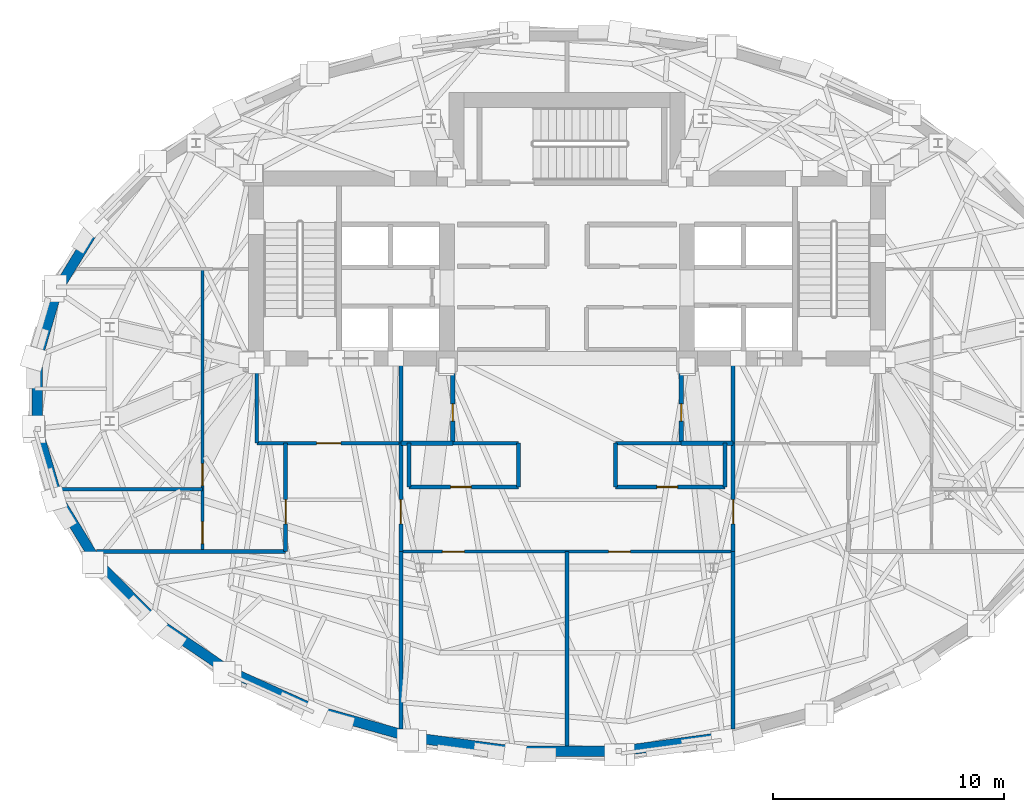
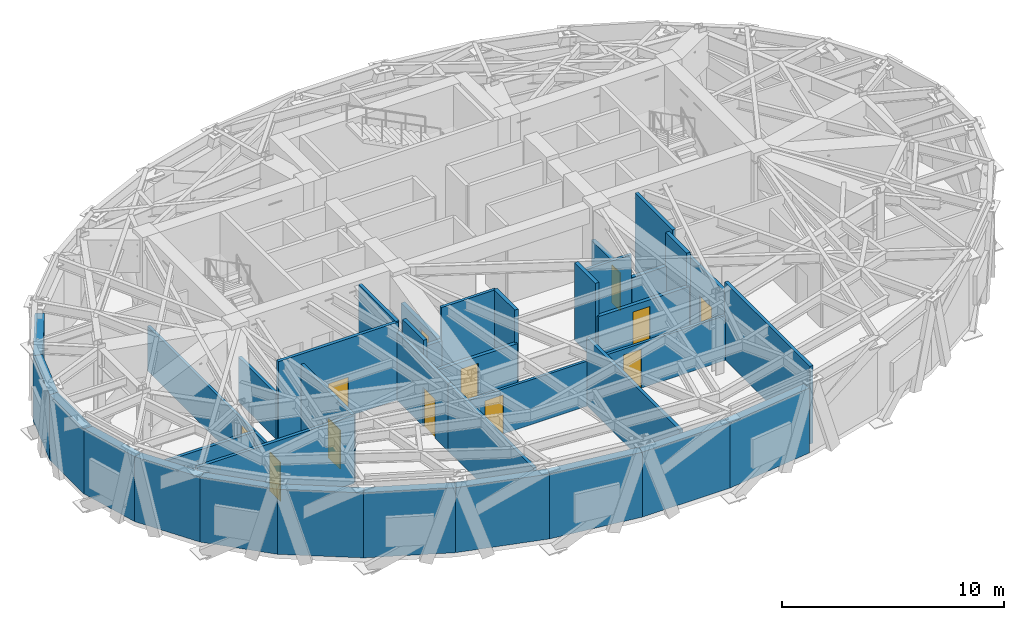
# One storey, part 6 of 12: 38 walls, 12 doors, 12 openings.
"""IFC4 building model written with IfcOpenShell, lengths in metres."""

from ifc_helpers import new_model, si_unit, direction, frame, frame_2d, origin, place, context, subcontext, project, spatial, rectangle, extrude, material, layer, layer_set, type_object, element, fill, save


model = new_model("IFC4")

# Units and contexts
model_context = context("Model", 3, precision=1e-05, world=origin(), true_north=direction((0.0, 1.0)))
body_context = subcontext(model_context, "Body", "Model", "MODEL_VIEW")
ifc_project = project(units=[si_unit("LENGTHUNIT", "METRE"), si_unit("AREAUNIT", "SQUARE_METRE"), si_unit("VOLUMEUNIT", "CUBIC_METRE"), si_unit("PLANEANGLEUNIT", "RADIAN"), si_unit("MASSUNIT", "GRAM", prefix="KILO")], contexts=[model_context])

# Site, building, storey
site_placement = place(None, origin())
site = spatial("IfcSite", under=ifc_project, at=site_placement, CompositionType="ELEMENT")
building_placement = place(site_placement, origin())
building = spatial("IfcBuilding", under=site, at=building_placement, Name="Keldmark Tower", CompositionType="ELEMENT")
storey_placement = place(building_placement, frame((0.0, 0.0, 201.39990234375)))
storey = spatial("IfcBuildingStorey", under=building, at=storey_placement, Name="L56", CompositionType="ELEMENT", Elevation=201.39990234375)

# Wall, openings, doors
ifc_material_1 = material(Name="Acoustic Double-Layer Gypsum Corridor Partition", Category="gypsum")
ifc_layer_1 = layer(ifc_material_1, 0.139892578125)
ifc_layer_set_1 = layer_set([ifc_layer_1], Name="Acoustic Double-Layer Gypsum Corridor Partition")
wall_type_1 = type_object("IfcWallType", Name="Acoustic Corridor Partition 140 mm", PredefinedType="PARTITIONING", material=ifc_layer_set_1)
wall_1_placement = place(storey_placement, frame((-7.199951171875, -6.85009765625, 0.0), z_axis=(0.0, 0.0, 1.0), x_axis=(1.0, 0.0, 0.0)))
wall_1 = element("IfcWall", 1, at=wall_1_placement, inside=storey, type_object=wall_type_1, Name="L56 Acoustic Corridor Partition 140 mm PCOR-CS", PredefinedType="PARTITIONING", context=body_context, shape_type="SweptSolid", body=[
    extrude(rectangle(XDim=14.39990234375, YDim=0.139892578125, at=frame_2d((7.199951171875, 0.0))), origin(), (0.0, 0.0, 1.0), 2.47021484375),
])
opening_1_placement = place(wall_1_placement, frame((1.800048828125, 0.0, 0.0)))
opening_1 = element("IfcOpeningElement", 2, at=opening_1_placement, cuts=wall_1, Name="Opening D-AWC95", PredefinedType="OPENING", context=body_context, shape_type="SweptSolid", body=[
    extrude(rectangle(XDim=0.949951171875, YDim=2.14990234375, at=frame_2d((0.47509765625, 1.074951171875))), frame((0.0, 0.079833984375, 0.0), z_axis=(0.0, -1.0, 0.0), x_axis=(1.0, 0.0, 0.0)), (0.0, 0.0, 1.0), 0.159912109375),
])
opening_2_placement = place(wall_1_placement, frame((9.0, 0.0, 0.0)))
opening_2 = element("IfcOpeningElement", 3, at=opening_2_placement, cuts=wall_1, Name="Opening D-AWC95", PredefinedType="OPENING", context=body_context, shape_type="SweptSolid", body=[
    extrude(rectangle(XDim=0.949951171875, YDim=2.14990234375, at=frame_2d((0.47509765625, 1.074951171875))), frame((0.0, 0.079833984375, 0.0), z_axis=(0.0, -1.0, 0.0), x_axis=(1.0, 0.0, 0.0)), (0.0, 0.0, 1.0), 0.159912109375),
])
ifc_material_2 = material(Name="Painted Solid-Core Architectural Wood", Category="wood")
door_type_1 = type_object("IfcDoorType", Name="Accessible WC Door 950x2150", OperationType="NOTDEFINED", PredefinedType="DOOR", material=ifc_material_2)
door_1_placement = place(opening_1_placement, origin())
door_1 = element("IfcDoor", 4, at=door_1_placement, inside=storey, type_object=door_type_1, Name="L56 Accessible WC Door 950x2150 D-PLSC1-L56", OperationType="SINGLE_SWING_RIGHT", OverallHeight=2.14990234375, OverallWidth=0.949951171875, PredefinedType="DOOR", context=body_context, shape_type="SweptSolid", body=[
    extrude(rectangle(XDim=0.949951171875, YDim=2.14990234375, at=frame_2d((0.47509765625, 1.074951171875))), frame((0.0, 0.02490234375, 0.0), z_axis=(0.0, -1.0, 0.0), x_axis=(1.0, 0.0, 0.0)), (0.0, 0.0, 1.0), 0.050048828125),
])
fill(opening_1, door_1)
door_2_placement = place(opening_2_placement, origin())
door_2 = element("IfcDoor", 5, at=door_2_placement, inside=storey, type_object=door_type_1, Name="L56 Accessible WC Door 950x2150 D-PLSC2-L56", OperationType="SINGLE_SWING_RIGHT", OverallHeight=2.14990234375, OverallWidth=0.949951171875, PredefinedType="DOOR", context=body_context, shape_type="SweptSolid", body=[
    extrude(rectangle(XDim=0.949951171875, YDim=2.14990234375, at=frame_2d((0.47509765625, 1.074951171875))), frame((0.0, 0.02490234375, 0.0), z_axis=(0.0, -1.0, 0.0), x_axis=(1.0, 0.0, 0.0)), (0.0, 0.0, 1.0), 0.050048828125),
])
fill(opening_2, door_2)

wall_2_placement = place(storey_placement, frame((-15.800048828125, -6.85009765625, 0.0), z_axis=(0.0, 0.0, 1.0), x_axis=(0.0, 1.0, 0.0)))
wall_2 = element("IfcWall", 6, at=wall_2_placement, inside=storey, type_object=wall_type_1, Name="L56 Acoustic Corridor Partition 140 mm PCOR-W", PredefinedType="PARTITIONING", context=body_context, shape_type="SweptSolid", body=[
    extrude(rectangle(XDim=12.25, YDim=0.139892578125, at=frame_2d((6.125, 0.0))), origin(), (0.0, 0.0, 1.0), 2.47021484375),
])
opening_3_placement = place(wall_2_placement, frame((0.35009765625, 0.0, 0.0)))
opening_3 = element("IfcOpeningElement", 7, at=opening_3_placement, cuts=wall_2, Name="Opening D-AWC95", PredefinedType="OPENING", context=body_context, shape_type="SweptSolid", body=[
    extrude(rectangle(XDim=0.949951171875, YDim=2.14990234375, at=frame_2d((0.47509765625, 1.074951171875))), frame((0.0, 0.079833984375, 0.0), z_axis=(0.0, -1.0, 0.0), x_axis=(1.0, 0.0, 0.0)), (0.0, 0.0, 1.0), 0.159912109375),
])
opening_4_placement = place(wall_2_placement, frame((2.860107421875, 0.0, 0.0)))
opening_4 = element("IfcOpeningElement", 8, at=opening_4_placement, cuts=wall_2, Name="Opening D-AWC95", PredefinedType="OPENING", context=body_context, shape_type="SweptSolid", body=[
    extrude(rectangle(XDim=0.949951171875, YDim=2.14990234375, at=frame_2d((0.47509765625, 1.074951171875))), frame((0.0, 0.079833984375, 0.0), z_axis=(0.0, -1.0, 0.0), x_axis=(1.0, 0.0, 0.0)), (0.0, 0.0, 1.0), 0.159912109375),
])
door_3_placement = place(opening_3_placement, origin())
door_3 = element("IfcDoor", 9, at=door_3_placement, inside=storey, type_object=door_type_1, Name="L56 Accessible WC Door 950x2150 D-PLW1-L56", OperationType="SINGLE_SWING_LEFT", OverallHeight=2.14990234375, OverallWidth=0.949951171875, PredefinedType="DOOR", context=body_context, shape_type="SweptSolid", body=[
    extrude(rectangle(XDim=0.949951171875, YDim=2.14990234375, at=frame_2d((0.47509765625, 1.074951171875))), frame((0.0, 0.02490234375, 0.0), z_axis=(0.0, -1.0, 0.0), x_axis=(1.0, 0.0, 0.0)), (0.0, 0.0, 1.0), 0.050048828125),
])
fill(opening_3, door_3)
door_4_placement = place(opening_4_placement, origin())
door_4 = element("IfcDoor", 10, at=door_4_placement, inside=storey, type_object=door_type_1, Name="L56 Accessible WC Door 950x2150 D-PLW2-L56", OperationType="SINGLE_SWING_RIGHT", OverallHeight=2.14990234375, OverallWidth=0.949951171875, PredefinedType="DOOR", context=body_context, shape_type="SweptSolid", body=[
    extrude(rectangle(XDim=0.949951171875, YDim=2.14990234375, at=frame_2d((0.47509765625, 1.074951171875))), frame((0.0, 0.02490234375, 0.0), z_axis=(0.0, -1.0, 0.0), x_axis=(1.0, 0.0, 0.0)), (0.0, 0.0, 1.0), 0.050048828125),
])
fill(opening_4, door_4)

# Wall, opening, door
ifc_material_3 = material(Name="Heavy Acoustic Plumbing Chase Gypsum Assembly", Category="gypsum")
ifc_layer_2 = layer(ifc_material_3, 0.18994140625)
ifc_layer_set_2 = layer_set([ifc_layer_2], Name="Heavy Acoustic Plumbing Chase Gypsum Assembly")
wall_type_2 = type_object("IfcWallType", Name="Heavy Wet Wall 190 mm", PredefinedType="PLUMBINGWALL", material=ifc_layer_set_2)
wall_3_placement = place(storey_placement, frame((-6.85009765625, -4.050048828125, 0.0), z_axis=(0.0, 0.0, 1.0), x_axis=(1.0, 0.0, 0.0)))
wall_3 = element("IfcWall", 11, at=wall_3_placement, inside=storey, type_object=wall_type_2, Name="L56 Heavy Wet Wall 190 mm SPK-W-S", PredefinedType="PLUMBINGWALL", context=body_context, shape_type="SweptSolid", body=[
    extrude(rectangle(XDim=4.75, YDim=0.18994140625, at=frame_2d((2.375, 0.0))), origin(), (0.0, 0.0, 1.0), 2.47021484375),
])
opening_5_placement = place(wall_3_placement, frame((1.800048828125, 0.0, 0.0)))
opening_5 = element("IfcOpeningElement", 12, at=opening_5_placement, cuts=wall_3, Name="Opening D-IN090", PredefinedType="OPENING", context=body_context, shape_type="SweptSolid", body=[
    extrude(rectangle(XDim=0.89990234375, YDim=2.10009765625, at=frame_2d((0.449951171875, 1.050048828125))), frame((0.0, 0.10498046875, 0.0), z_axis=(0.0, -1.0, 0.0), x_axis=(1.0, 0.0, 0.0)), (0.0, 0.0, 1.0), 0.2099609375),
])
ifc_material_4 = material(Name="Stained American White Oak Veneer", Category="wood")
door_type_2 = type_object("IfcDoorType", Name="Interior Door 900x2100", OperationType="NOTDEFINED", PredefinedType="DOOR", material=ifc_material_4)
door_5_placement = place(opening_5_placement, origin())
door_5 = element("IfcDoor", 13, at=door_5_placement, inside=storey, type_object=door_type_2, Name="L56 Interior Door 900x2100 D-SPKW1-L56", OperationType="SINGLE_SWING_LEFT", OverallHeight=2.10009765625, OverallWidth=0.89990234375, PredefinedType="DOOR", context=body_context, shape_type="SweptSolid", body=[
    extrude(rectangle(XDim=0.89990234375, YDim=2.10009765625, at=frame_2d((0.449951171875, 1.050048828125))), frame((0.0, 0.02490234375, 0.0), z_axis=(0.0, -1.0, 0.0), x_axis=(1.0, 0.0, 0.0)), (0.0, 0.0, 1.0), 0.050048828125),
])
fill(opening_5, door_5)

# Walls
for number, where, z_axis, x_axis, name in (
    (14, (-6.85009765625, -4.050048828125, 0.0), (0.0, 0.0, 1.0), (0.0, 1.0, 0.0), "L56 Heavy Wet Wall 190 mm SPK-W-W"),
    (15, (-2.10009765625, -4.050048828125, 0.0), (0.0, 0.0, 1.0), (0.0, 1.0, 0.0), "L56 Heavy Wet Wall 190 mm SPK-W-E"),
):
    element("IfcWall", number, at=place(storey_placement, frame(where, z_axis=z_axis, x_axis=x_axis)), inside=storey, type_object=wall_type_2, Name=name, PredefinedType="PLUMBINGWALL", context=body_context, shape_type="SweptSolid", body=[
        extrude(rectangle(XDim=1.900146484375, YDim=0.18994140625, at=frame_2d((0.9501953125, 0.0))), origin(), (0.0, 0.0, 1.0), 4.280029296875),
    ])

# Wall, opening, door
wall_4_placement = place(storey_placement, frame((2.10009765625, -4.050048828125, 0.0), z_axis=(0.0, 0.0, 1.0), x_axis=(1.0, 0.0, 0.0)))
wall_4 = element("IfcWall", 16, at=wall_4_placement, inside=storey, type_object=wall_type_2, Name="L56 Heavy Wet Wall 190 mm SPK-E-S", PredefinedType="PLUMBINGWALL", context=body_context, shape_type="SweptSolid", body=[
    extrude(rectangle(XDim=4.75, YDim=0.18994140625, at=frame_2d((2.375, 0.0))), origin(), (0.0, 0.0, 1.0), 2.47021484375),
])
opening_6_placement = place(wall_4_placement, frame((1.800048828125, 0.0, 0.0)))
opening_6 = element("IfcOpeningElement", 17, at=opening_6_placement, cuts=wall_4, Name="Opening D-IN090", PredefinedType="OPENING", context=body_context, shape_type="SweptSolid", body=[
    extrude(rectangle(XDim=0.89990234375, YDim=2.10009765625, at=frame_2d((0.449951171875, 1.050048828125))), frame((0.0, 0.10498046875, 0.0), z_axis=(0.0, -1.0, 0.0), x_axis=(1.0, 0.0, 0.0)), (0.0, 0.0, 1.0), 0.2099609375),
])
door_6_placement = place(opening_6_placement, origin())
door_6 = element("IfcDoor", 18, at=door_6_placement, inside=storey, type_object=door_type_2, Name="L56 Interior Door 900x2100 D-SPKE1-L56", OperationType="SINGLE_SWING_RIGHT", OverallHeight=2.10009765625, OverallWidth=0.89990234375, PredefinedType="DOOR", context=body_context, shape_type="SweptSolid", body=[
    extrude(rectangle(XDim=0.89990234375, YDim=2.10009765625, at=frame_2d((0.449951171875, 1.050048828125))), frame((0.0, 0.02490234375, 0.0), z_axis=(0.0, -1.0, 0.0), x_axis=(1.0, 0.0, 0.0)), (0.0, 0.0, 1.0), 0.050048828125),
])
fill(opening_6, door_6)

# Walls
for number, where, z_axis, x_axis, name in (
    (19, (2.10009765625, -4.050048828125, 0.0), (0.0, 0.0, 1.0), (0.0, 1.0, 0.0), "L56 Heavy Wet Wall 190 mm SPK-E-W"),
    (20, (6.85009765625, -4.050048828125, 0.0), (0.0, 0.0, 1.0), (0.0, 1.0, 0.0), "L56 Heavy Wet Wall 190 mm SPK-E-E"),
):
    element("IfcWall", number, at=place(storey_placement, frame(where, z_axis=z_axis, x_axis=x_axis)), inside=storey, type_object=wall_type_2, Name=name, PredefinedType="PLUMBINGWALL", context=body_context, shape_type="SweptSolid", body=[
        extrude(rectangle(XDim=1.900146484375, YDim=0.18994140625, at=frame_2d((0.9501953125, 0.0))), origin(), (0.0, 0.0, 1.0), 4.280029296875),
    ])

# Wall, opening, door
ifc_material_5 = material(Name="Type X Fire-Rated Gypsum Partition Assembly", Category="gypsum")
ifc_layer_3 = layer(ifc_material_5, 0.1650390625)
ifc_layer_set_3 = layer_set([ifc_layer_3], Name="Type X Fire-Rated Gypsum Partition Assembly")
wall_type_3 = type_object("IfcWallType", Name="Rated Partition 165 mm", PredefinedType="PARTITIONING", material=ifc_layer_set_3)
wall_5_placement = place(storey_placement, frame((-13.449951171875, -2.14990234375, 0.0), z_axis=(0.0, 0.0, 1.0), x_axis=(1.0, 0.0, 0.0)))
wall_5 = element("IfcWall", 21, at=wall_5_placement, inside=storey, type_object=wall_type_3, Name="L56 Rated Partition 165 mm FSAE-W-S", PredefinedType="PARTITIONING", context=body_context, shape_type="SweptSolid", body=[
    extrude(rectangle(XDim=6.25, YDim=0.1650390625, at=frame_2d((3.125, 0.0))), origin(), (0.0, 0.0, 1.0), 4.280029296875),
])
opening_7_placement = place(wall_5_placement, frame((2.60009765625, 0.0, 0.0)))
opening_7 = element("IfcOpeningElement", 22, at=opening_7_placement, cuts=wall_5, Name="Opening D-FL105", PredefinedType="OPENING", context=body_context, shape_type="SweptSolid", body=[
    extrude(rectangle(XDim=1.050048828125, YDim=2.14990234375, at=frame_2d((0.52490234375, 1.074951171875))), frame((0.0, 0.092529296875, 0.0), z_axis=(0.0, -1.0, 0.0), x_axis=(1.0, 0.0, 0.0)), (0.0, 0.0, 1.0), 0.18505859375),
])
ifc_material_6 = material(Name="Fire-Rated Mineral-Core Door and Vision Lite", Category="metal")
door_type_3 = type_object("IfcDoorType", Name="Fire Lobby Door 1050x2150", OperationType="NOTDEFINED", PredefinedType="DOOR", material=ifc_material_6)
door_7_placement = place(opening_7_placement, origin())
door_7 = element("IfcDoor", 23, at=door_7_placement, inside=storey, type_object=door_type_3, Name="L56 Fire Lobby Door 1050x2150 D-REFW-FSAE-L56", OperationType="SINGLE_SWING_LEFT", OverallHeight=2.14990234375, OverallWidth=1.050048828125, PredefinedType="DOOR", context=body_context, shape_type="SweptSolid", body=[
    extrude(rectangle(XDim=1.050048828125, YDim=2.14990234375, at=frame_2d((0.52490234375, 1.074951171875))), frame((0.0, 0.02490234375, 0.0), z_axis=(0.0, -1.0, 0.0), x_axis=(1.0, 0.0, 0.0)), (0.0, 0.0, 1.0), 0.050048828125),
])
fill(opening_7, door_7)

# Walls
wall_6_placement = place(storey_placement, frame((-13.449951171875, -2.14990234375, 0.0), z_axis=(0.0, 0.0, 1.0), x_axis=(0.0, 1.0, 0.0)))
element("IfcWall", 24, at=wall_6_placement, inside=storey, type_object=wall_type_3, Name="L56 Rated Partition 165 mm FSAE-W-W", PredefinedType="PARTITIONING", context=body_context, shape_type="SweptSolid", body=[
    extrude(rectangle(XDim=3.39990234375, YDim=0.1650390625, at=frame_2d((1.699951171875, 0.0))), origin(), (0.0, 0.0, 1.0), 2.47021484375),
])
for number, where, z_axis, x_axis, name in (
    (25, (-7.199951171875, -2.14990234375, 0.0), (0.0, 0.0, 1.0), (0.0, 1.0, 0.0), "L56 Rated Partition 165 mm FSAE-W-E"),
    (26, (7.199951171875, -2.14990234375, 0.0), (0.0, 0.0, 1.0), (0.0, 1.0, 0.0), "L56 Rated Partition 165 mm FSAE-E-W"),
):
    element("IfcWall", number, at=place(storey_placement, frame(where, z_axis=z_axis, x_axis=x_axis)), inside=storey, type_object=wall_type_3, Name=name, PredefinedType="PARTITIONING", context=body_context, shape_type="SweptSolid", body=[
        extrude(rectangle(XDim=3.39990234375, YDim=0.1650390625, at=frame_2d((1.699951171875, 0.0))), origin(), (0.0, 0.0, 1.0), 4.280029296875),
    ])

# Wall, opening, door
wall_7_placement = place(storey_placement, frame((-12.199951171875, -6.85009765625, 0.0), z_axis=(0.0, 0.0, 1.0), x_axis=(0.0, 1.0, 0.0)))
wall_7 = element("IfcWall", 27, at=wall_7_placement, inside=storey, type_object=wall_type_3, Name="L56 Rated Partition 165 mm REF-WT-W", PredefinedType="PARTITIONING", context=body_context, shape_type="SweptSolid", body=[
    extrude(rectangle(XDim=4.7001953125, YDim=0.1650390625, at=frame_2d((2.35009765625, 0.0))), origin(), (0.0, 0.0, 1.0), 3.733154296875),
])
opening_8_placement = place(wall_7_placement, frame((1.199951171875, 0.0, 0.0)))
opening_8 = element("IfcOpeningElement", 28, at=opening_8_placement, cuts=wall_7, Name="Opening D-FL105", PredefinedType="OPENING", context=body_context, shape_type="SweptSolid", body=[
    extrude(rectangle(XDim=1.050048828125, YDim=2.14990234375, at=frame_2d((0.52490234375, 1.074951171875))), frame((0.0, 0.092529296875, 0.0), z_axis=(0.0, -1.0, 0.0), x_axis=(1.0, 0.0, 0.0)), (0.0, 0.0, 1.0), 0.18505859375),
])
door_8_placement = place(opening_8_placement, origin())
door_8 = element("IfcDoor", 29, at=door_8_placement, inside=storey, type_object=door_type_3, Name="L56 Fire Lobby Door 1050x2150 D-REFW-CORW-L56", OperationType="SINGLE_SWING_LEFT", OverallHeight=2.14990234375, OverallWidth=1.050048828125, PredefinedType="DOOR", context=body_context, shape_type="SweptSolid", body=[
    extrude(rectangle(XDim=1.050048828125, YDim=2.14990234375, at=frame_2d((0.52490234375, 1.074951171875))), frame((0.0, 0.02490234375, 0.0), z_axis=(0.0, -1.0, 0.0), x_axis=(1.0, 0.0, 0.0)), (0.0, 0.0, 1.0), 0.050048828125),
])
fill(opening_8, door_8)

wall_8_placement = place(storey_placement, frame((-7.199951171875, -6.85009765625, 0.0), z_axis=(0.0, 0.0, 1.0), x_axis=(0.0, 1.0, 0.0)))
wall_8 = element("IfcWall", 30, at=wall_8_placement, inside=storey, type_object=wall_type_3, Name="L56 Rated Partition 165 mm REF-WT-E", PredefinedType="PARTITIONING", context=body_context, shape_type="SweptSolid", body=[
    extrude(rectangle(XDim=4.7001953125, YDim=0.1650390625, at=frame_2d((2.35009765625, 0.0))), origin(), (0.0, 0.0, 1.0), 3.733154296875),
])
opening_9_placement = place(wall_8_placement, frame((1.199951171875, 0.0, 0.0)))
opening_9 = element("IfcOpeningElement", 31, at=opening_9_placement, cuts=wall_8, Name="Opening D-FL105", PredefinedType="OPENING", context=body_context, shape_type="SweptSolid", body=[
    extrude(rectangle(XDim=1.050048828125, YDim=2.14990234375, at=frame_2d((0.52490234375, 1.074951171875))), frame((0.0, 0.092529296875, 0.0), z_axis=(0.0, -1.0, 0.0), x_axis=(1.0, 0.0, 0.0)), (0.0, 0.0, 1.0), 0.18505859375),
])
door_9_placement = place(opening_9_placement, origin())
door_9 = element("IfcDoor", 32, at=door_9_placement, inside=storey, type_object=door_type_3, Name="L56 Fire Lobby Door 1050x2150 D-REFW-CORE-L56", OperationType="SINGLE_SWING_RIGHT", OverallHeight=2.14990234375, OverallWidth=1.050048828125, PredefinedType="DOOR", context=body_context, shape_type="SweptSolid", body=[
    extrude(rectangle(XDim=1.050048828125, YDim=2.14990234375, at=frame_2d((0.52490234375, 1.074951171875))), frame((0.0, 0.02490234375, 0.0), z_axis=(0.0, -1.0, 0.0), x_axis=(1.0, 0.0, 0.0)), (0.0, 0.0, 1.0), 0.050048828125),
])
fill(opening_9, door_9)

wall_9_placement = place(storey_placement, frame((7.199951171875, -6.85009765625, 0.0), z_axis=(0.0, 0.0, 1.0), x_axis=(0.0, 1.0, 0.0)))
wall_9 = element("IfcWall", 33, at=wall_9_placement, inside=storey, type_object=wall_type_3, Name="L56 Rated Partition 165 mm REF-ET-W", PredefinedType="PARTITIONING", context=body_context, shape_type="SweptSolid", body=[
    extrude(rectangle(XDim=4.7001953125, YDim=0.1650390625, at=frame_2d((2.35009765625, 0.0))), origin(), (0.0, 0.0, 1.0), 3.733154296875),
])
opening_10_placement = place(wall_9_placement, frame((1.199951171875, 0.0, 0.0)))
opening_10 = element("IfcOpeningElement", 34, at=opening_10_placement, cuts=wall_9, Name="Opening D-FL105", PredefinedType="OPENING", context=body_context, shape_type="SweptSolid", body=[
    extrude(rectangle(XDim=1.050048828125, YDim=2.14990234375, at=frame_2d((0.52490234375, 1.074951171875))), frame((0.0, 0.092529296875, 0.0), z_axis=(0.0, -1.0, 0.0), x_axis=(1.0, 0.0, 0.0)), (0.0, 0.0, 1.0), 0.18505859375),
])
door_10_placement = place(opening_10_placement, origin())
door_10 = element("IfcDoor", 35, at=door_10_placement, inside=storey, type_object=door_type_3, Name="L56 Fire Lobby Door 1050x2150 D-REFE-CORW-L56", OperationType="SINGLE_SWING_LEFT", OverallHeight=2.14990234375, OverallWidth=1.050048828125, PredefinedType="DOOR", context=body_context, shape_type="SweptSolid", body=[
    extrude(rectangle(XDim=1.050048828125, YDim=2.14990234375, at=frame_2d((0.52490234375, 1.074951171875))), frame((0.0, 0.02490234375, 0.0), z_axis=(0.0, -1.0, 0.0), x_axis=(1.0, 0.0, 0.0)), (0.0, 0.0, 1.0), 0.050048828125),
])
fill(opening_10, door_10)

# Walls
wall_10_placement = place(storey_placement, frame((-7.199951171875, -14.53173828125, 0.0), z_axis=(0.0, 0.0, 1.0), x_axis=(0.0, 1.0, 0.0)))
element("IfcWall", 36, at=wall_10_placement, inside=storey, type_object=wall_type_3, Name="L56 Rated Partition 165 mm REF-S-W", PredefinedType="PARTITIONING", context=body_context, shape_type="SweptSolid", body=[
    extrude(rectangle(XDim=7.681640625, YDim=0.1650390625, at=frame_2d((3.8408203125, 0.0))), origin(), (0.0, 0.0, 1.0), 3.733154296875),
])
wall_11_placement = place(storey_placement, frame((7.199951171875, -14.53173828125, 0.0), z_axis=(0.0, 0.0, 1.0), x_axis=(0.0, 1.0, 0.0)))
element("IfcWall", 37, at=wall_11_placement, inside=storey, type_object=wall_type_3, Name="L56 Rated Partition 165 mm REF-S-E", PredefinedType="PARTITIONING", context=body_context, shape_type="SweptSolid", body=[
    extrude(rectangle(XDim=7.681640625, YDim=0.1650390625, at=frame_2d((3.8408203125, 0.0))), origin(), (0.0, 0.0, 1.0), 4.280029296875),
])
wall_12_placement = place(storey_placement, frame((-20.38916015625, -6.85009765625, 0.0), z_axis=(0.0, 0.0, 1.0), x_axis=(1.0, 0.0, 0.0)))
element("IfcWall", 38, at=wall_12_placement, inside=storey, type_object=wall_type_3, Name="L56 Rated Partition 165 mm REF-CAP-W", PredefinedType="PARTITIONING", context=body_context, shape_type="SweptSolid", body=[
    extrude(rectangle(XDim=8.189208984375, YDim=0.1650390625, at=frame_2d((4.0947265625, 0.0))), origin(), (0.0, 0.0, 1.0), 3.733154296875),
])
wall_13_placement = place(storey_placement, frame((0.0, -15.27587890625, 0.0), z_axis=(0.0, 0.0, 1.0), x_axis=(0.0, 1.0, 0.0)))
element("IfcWall", 39, at=wall_13_placement, inside=storey, type_object=wall_type_3, Name="L56 Rated Partition 165 mm SPL-DIV", PredefinedType="PARTITIONING", context=body_context, shape_type="SweptSolid", body=[
    extrude(rectangle(XDim=8.42578125, YDim=0.1650390625, at=frame_2d((4.212890625, 0.0))), origin(), (0.0, 0.0, 1.0), 3.733154296875),
])
wall_14_placement = place(storey_placement, frame((-21.9580078125, -4.14990234375, 0.0), z_axis=(0.0, 0.0, 1.0), x_axis=(1.0, 0.0, 0.0)))
element("IfcWall", 40, at=wall_14_placement, inside=storey, type_object=wall_type_3, Name="L56 Rated Partition 165 mm WPL-DIV", PredefinedType="PARTITIONING", context=body_context, shape_type="SweptSolid", body=[
    extrude(rectangle(XDim=6.157958984375, YDim=0.1650390625, at=frame_2d((3.0791015625, 0.0))), origin(), (0.0, 0.0, 1.0), 2.47021484375),
])
ifc_material_7 = material(Name="Fire-Resistant Type X Gypsum Shaftliner Coreboard", Category="gypsum")
ifc_layer_4 = layer(ifc_material_7, 0.199951171875)
ifc_layer_set_4 = layer_set([ifc_layer_4], Name="Fire-Resistant Type X Gypsum Shaftliner Coreboard")
wall_type_4 = type_object("IfcWallType", Name="Shaft Wall 200 mm", PredefinedType="SOLIDWALL", material=ifc_layer_set_4)
wall_15_placement = place(storey_placement, frame((-7.199951171875, -2.14990234375, 0.0), z_axis=(0.0, 0.0, 1.0), x_axis=(1.0, 0.0, 0.0)))
element("IfcWall", 41, at=wall_15_placement, inside=storey, type_object=wall_type_4, Name="L56 Shaft Wall 200 mm RIS-SW-S", PredefinedType="SOLIDWALL", context=body_context, shape_type="SweptSolid", body=[
    extrude(rectangle(XDim=2.25, YDim=0.199951171875, at=frame_2d((1.125, 0.0))), origin(), (0.0, 0.0, 1.0), 2.47021484375),
])

# Wall, opening, door
wall_16_placement = place(storey_placement, frame((-4.949951171875, -2.14990234375, 0.0), z_axis=(0.0, 0.0, 1.0), x_axis=(0.0, 1.0, 0.0)))
wall_16 = element("IfcWall", 42, at=wall_16_placement, inside=storey, type_object=wall_type_4, Name="L56 Shaft Wall 200 mm RIS-SW-E", PredefinedType="SOLIDWALL", context=body_context, shape_type="SweptSolid", body=[
    extrude(rectangle(XDim=3.39990234375, YDim=0.199951171875, at=frame_2d((1.699951171875, 0.0))), origin(), (0.0, 0.0, 1.0), 2.47021484375),
])
opening_11_placement = place(wall_16_placement, frame((0.949951171875, 0.0, 0.0)))
opening_11 = element("IfcOpeningElement", 43, at=opening_11_placement, cuts=wall_16, Name="Opening D-RS075", PredefinedType="OPENING", context=body_context, shape_type="SweptSolid", body=[
    extrude(rectangle(XDim=0.75, YDim=2.10009765625, at=frame_2d((0.375, 1.050048828125))), frame((0.0, 0.10986328125, 0.0), z_axis=(0.0, -1.0, 0.0), x_axis=(1.0, 0.0, 0.0)), (0.0, 0.0, 1.0), 0.219970703125),
])
ifc_material_8 = material(Name="Galvanized Fire-Rated Access Leaf", Category="metal")
door_type_4 = type_object("IfcDoorType", Name="Riser Access Door 750x2100", OperationType="NOTDEFINED", PredefinedType="DOOR", material=ifc_material_8)
door_11_placement = place(opening_11_placement, origin())
door_11 = element("IfcDoor", 44, at=door_11_placement, inside=storey, type_object=door_type_4, Name="L56 Riser Access Door 750x2100 D-RISSW-L56", OperationType="SINGLE_SWING_RIGHT", OverallHeight=2.10009765625, OverallWidth=0.75, PredefinedType="DOOR", context=body_context, shape_type="SweptSolid", body=[
    extrude(rectangle(XDim=0.75, YDim=2.10009765625, at=frame_2d((0.375, 1.050048828125))), frame((0.0, 0.02490234375, 0.0), z_axis=(0.0, -1.0, 0.0), x_axis=(1.0, 0.0, 0.0)), (0.0, 0.0, 1.0), 0.050048828125),
])
fill(opening_11, door_11)

# Wall
wall_17_placement = place(storey_placement, frame((4.949951171875, -2.14990234375, 0.0), z_axis=(0.0, 0.0, 1.0), x_axis=(1.0, 0.0, 0.0)))
element("IfcWall", 45, at=wall_17_placement, inside=storey, type_object=wall_type_4, Name="L56 Shaft Wall 200 mm RIS-SE-S", PredefinedType="SOLIDWALL", context=body_context, shape_type="SweptSolid", body=[
    extrude(rectangle(XDim=2.25, YDim=0.199951171875, at=frame_2d((1.125, 0.0))), origin(), (0.0, 0.0, 1.0), 2.47021484375),
])

# Wall, opening, door
wall_18_placement = place(storey_placement, frame((4.949951171875, -2.14990234375, 0.0), z_axis=(0.0, 0.0, 1.0), x_axis=(0.0, 1.0, 0.0)))
wall_18 = element("IfcWall", 46, at=wall_18_placement, inside=storey, type_object=wall_type_4, Name="L56 Shaft Wall 200 mm RIS-SE-W", PredefinedType="SOLIDWALL", context=body_context, shape_type="SweptSolid", body=[
    extrude(rectangle(XDim=3.39990234375, YDim=0.199951171875, at=frame_2d((1.699951171875, 0.0))), origin(), (0.0, 0.0, 1.0), 2.47021484375),
])
opening_12_placement = place(wall_18_placement, frame((0.949951171875, 0.0, 0.0)))
opening_12 = element("IfcOpeningElement", 47, at=opening_12_placement, cuts=wall_18, Name="Opening D-RS075", PredefinedType="OPENING", context=body_context, shape_type="SweptSolid", body=[
    extrude(rectangle(XDim=0.75, YDim=2.10009765625, at=frame_2d((0.375, 1.050048828125))), frame((0.0, 0.10986328125, 0.0), z_axis=(0.0, -1.0, 0.0), x_axis=(1.0, 0.0, 0.0)), (0.0, 0.0, 1.0), 0.219970703125),
])
door_12_placement = place(opening_12_placement, origin())
door_12 = element("IfcDoor", 48, at=door_12_placement, inside=storey, type_object=door_type_4, Name="L56 Riser Access Door 750x2100 D-RISSE-L56", OperationType="SINGLE_SWING_LEFT", OverallHeight=2.10009765625, OverallWidth=0.75, PredefinedType="DOOR", context=body_context, shape_type="SweptSolid", body=[
    extrude(rectangle(XDim=0.75, YDim=2.10009765625, at=frame_2d((0.375, 1.050048828125))), frame((0.0, 0.02490234375, 0.0), z_axis=(0.0, -1.0, 0.0), x_axis=(1.0, 0.0, 0.0)), (0.0, 0.0, 1.0), 0.050048828125),
])
fill(opening_12, door_12)

# Walls
ifc_material_9 = material(Name="Ironspot Manganese Brick and Kasota Buff Limestone Spandrel Assembly", Category="masonry")
ifc_layer_5 = layer(ifc_material_9, 0.43994140625)
ifc_layer_set_5 = layer_set([ifc_layer_5], Name="Ironspot Manganese Brick and Kasota Buff Limestone Spandrel Assembly")
wall_type_5 = type_object("IfcWallType", Name="Tower Brick Pier and Spandrel Wall 440 mm", PredefinedType="STANDARD", material=ifc_layer_set_5)
wall_19_placement = place(storey_placement, frame((-22.10888671875, 4.4716796875, 0.0), z_axis=(0.0, 0.0, 1.0), x_axis=(0.521214394333, 0.853425775999, 0.0)))
element("IfcWall", 49, at=wall_19_placement, inside=storey, type_object=wall_type_5, Name="L56 Exterior Brick and Spandrel Wall 14", PredefinedType="STANDARD", context=body_context, shape_type="SweptSolid", body=[
    extrude(rectangle(XDim=3.353271484375, YDim=0.43994140625, at=frame_2d((1.6767578125, 0.0))), origin(), (0.0, 0.0, 1.0), 3.5751953125),
])
wall_20_placement = place(storey_placement, frame((-22.976806640625, 1.48681640625, 0.0), z_axis=(0.0, 0.0, 1.0), x_axis=(0.281477355005, 0.959567870773, 0.0)))
element("IfcWall", 50, at=wall_20_placement, inside=storey, type_object=wall_type_5, Name="L56 Exterior Brick and Spandrel Wall 15", PredefinedType="STANDARD", context=body_context, shape_type="SweptSolid", body=[
    extrude(rectangle(XDim=3.165771484375, YDim=0.43994140625, at=frame_2d((1.5830078125, 0.0))), origin(), (0.0, 0.0, 1.0), 3.5751953125),
])
wall_21_placement = place(storey_placement, frame((-22.9677734375, -1.548583984375, 0.0), z_axis=(0.0, 0.0, 1.0), x_axis=(0.0, 1.0, 0.0)))
element("IfcWall", 51, at=wall_21_placement, inside=storey, type_object=wall_type_5, Name="L56 Exterior Brick and Spandrel Wall 16", PredefinedType="STANDARD", context=body_context, shape_type="SweptSolid", body=[
    extrude(rectangle(XDim=3.09716796875, YDim=0.43994140625, at=frame_2d((1.548583984375, 0.0))), origin(), (0.0, 0.0, 1.0), 3.5751953125),
])
wall_22_placement = place(storey_placement, frame((-22.085693359375, -4.524658203125, 0.0), z_axis=(0.0, 0.0, 1.0), x_axis=(-0.281477355005, 0.959567870773, 0.0)))
element("IfcWall", 52, at=wall_22_placement, inside=storey, type_object=wall_type_5, Name="L56 Exterior Brick and Spandrel Wall 17", PredefinedType="STANDARD", context=body_context, shape_type="SweptSolid", body=[
    extrude(rectangle(XDim=3.165771484375, YDim=0.43994140625, at=frame_2d((1.5830078125, 0.0))), origin(), (0.0, 0.0, 1.0), 3.5751953125),
])
wall_23_placement = place(storey_placement, frame((-20.361083984375, -7.33349609375, 0.0), z_axis=(0.0, 0.0, 1.0), x_axis=(-0.521214394333, 0.853425775999, 0.0)))
element("IfcWall", 53, at=wall_23_placement, inside=storey, type_object=wall_type_5, Name="L56 Exterior Brick and Spandrel Wall 18", PredefinedType="STANDARD", context=body_context, shape_type="SweptSolid", body=[
    extrude(rectangle(XDim=3.353271484375, YDim=0.43994140625, at=frame_2d((1.6767578125, 0.0))), origin(), (0.0, 0.0, 1.0), 3.5751953125),
])
wall_24_placement = place(storey_placement, frame((-17.8544921875, -9.868896484375, 0.0), z_axis=(0.0, 0.0, 1.0), x_axis=(-0.701887992659, 0.712287333708, 0.0)))
element("IfcWall", 54, at=wall_24_placement, inside=storey, type_object=wall_type_5, Name="L56 Exterior Brick and Spandrel Wall 19", PredefinedType="STANDARD", context=body_context, shape_type="SweptSolid", body=[
    extrude(rectangle(XDim=3.615478515625, YDim=0.43994140625, at=frame_2d((1.8076171875, 0.0))), origin(), (0.0, 0.0, 1.0), 3.5751953125),
])
wall_25_placement = place(storey_placement, frame((-14.657958984375, -12.031494140625, 0.0), z_axis=(0.0, 0.0, 1.0), x_axis=(-0.827644957237, 0.561252015373, 0.0)))
element("IfcWall", 55, at=wall_25_placement, inside=storey, type_object=wall_type_5, Name="L56 Exterior Brick and Spandrel Wall 20", PredefinedType="STANDARD", context=body_context, shape_type="SweptSolid", body=[
    extrude(rectangle(XDim=3.90234375, YDim=0.43994140625, at=frame_2d((1.951171875, 0.0))), origin(), (0.0, 0.0, 1.0), 3.5751953125),
])
wall_26_placement = place(storey_placement, frame((-10.892578125, -13.73388671875, 0.0), z_axis=(0.0, 0.0, 1.0), x_axis=(-0.910881102331, 0.412668895624, 0.0)))
element("IfcWall", 56, at=wall_26_placement, inside=storey, type_object=wall_type_5, Name="L56 Exterior Brick and Spandrel Wall 21", PredefinedType="STANDARD", context=body_context, shape_type="SweptSolid", body=[
    extrude(rectangle(XDim=4.169677734375, YDim=0.43994140625, at=frame_2d((2.0849609375, 0.0))), origin(), (0.0, 0.0, 1.0), 3.5751953125),
])
wall_27_placement = place(storey_placement, frame((-6.7041015625, -14.907958984375, 0.0), z_axis=(0.0, 0.0, 1.0), x_axis=(-0.962743881764, 0.270414899969, 0.0)))
element("IfcWall", 57, at=wall_27_placement, inside=storey, type_object=wall_type_5, Name="L56 Exterior Brick and Spandrel Wall 22", PredefinedType="STANDARD", context=body_context, shape_type="SweptSolid", body=[
    extrude(rectangle(XDim=4.38330078125, YDim=0.43994140625, at=frame_2d((2.191650390625, 0.0))), origin(), (0.0, 0.0, 1.0), 3.5751953125),
])
wall_28_placement = place(storey_placement, frame((-2.25439453125, -15.505859375, 0.0), z_axis=(0.0, 0.0, 1.0), x_axis=(-0.991025333234, 0.133674189316, 0.0)))
element("IfcWall", 58, at=wall_28_placement, inside=storey, type_object=wall_type_5, Name="L56 Exterior Brick and Spandrel Wall 23", PredefinedType="STANDARD", context=body_context, shape_type="SweptSolid", body=[
    extrude(rectangle(XDim=4.520263671875, YDim=0.43994140625, at=frame_2d((2.26025390625, 0.0))), origin(), (0.0, 0.0, 1.0), 3.5751953125),
])
wall_29_placement = place(storey_placement, frame((2.28369140625, -15.50390625, 0.0), z_axis=(0.0, 0.0, 1.0), x_axis=(-1.0, 0.0, 0.0)))
element("IfcWall", 59, at=wall_29_placement, inside=storey, type_object=wall_type_5, Name="L56 Exterior Brick and Spandrel Wall 24", PredefinedType="STANDARD", context=body_context, shape_type="SweptSolid", body=[
    extrude(rectangle(XDim=4.5673828125, YDim=0.43994140625, at=frame_2d((2.28369140625, 0.0))), origin(), (0.0, 0.0, 1.0), 3.5751953125),
])
wall_30_placement = place(storey_placement, frame((6.734130859375, -14.901611328125, 0.0), z_axis=(0.0, 0.0, 1.0), x_axis=(-0.991025333234, -0.133674189316, 0.0)))
element("IfcWall", 60, at=wall_30_placement, inside=storey, type_object=wall_type_5, Name="L56 Exterior Brick and Spandrel Wall 25", PredefinedType="STANDARD", context=body_context, shape_type="SweptSolid", body=[
    extrude(rectangle(XDim=4.520263671875, YDim=0.43994140625, at=frame_2d((2.26025390625, 0.0))), origin(), (0.0, 0.0, 1.0), 3.5751953125),
])
ifc_material_10 = material(Name="Moisture-Resistant Gypsum Plumbing Partition", Category="gypsum")
ifc_layer_6 = layer(ifc_material_10, 0.14990234375)
ifc_layer_set_6 = layer_set([ifc_layer_6], Name="Moisture-Resistant Gypsum Plumbing Partition")
wall_type_6 = type_object("IfcWallType", Name="Wet Wall 150 mm", PredefinedType="PLUMBINGWALL", material=ifc_layer_set_6)
wall_31_placement = place(storey_placement, frame((-4.949951171875, -2.14990234375, 0.0), z_axis=(0.0, 0.0, 1.0), x_axis=(1.0, 0.0, 0.0)))
element("IfcWall", 61, at=wall_31_placement, inside=storey, type_object=wall_type_6, Name="L56 Wet Wall 150 mm SPK-W-N", PredefinedType="PLUMBINGWALL", context=body_context, shape_type="SweptSolid", body=[
    extrude(rectangle(XDim=2.849853515625, YDim=0.14990234375, at=frame_2d((1.4248046875, 0.0))), origin(), (0.0, 0.0, 1.0), 4.280029296875),
])
wall_32_placement = place(storey_placement, frame((2.10009765625, -2.14990234375, 0.0), z_axis=(0.0, 0.0, 1.0), x_axis=(1.0, 0.0, 0.0)))
element("IfcWall", 62, at=wall_32_placement, inside=storey, type_object=wall_type_6, Name="L56 Wet Wall 150 mm SPK-E-N", PredefinedType="PLUMBINGWALL", context=body_context, shape_type="SweptSolid", body=[
    extrude(rectangle(XDim=2.849853515625, YDim=0.14990234375, at=frame_2d((1.4248046875, 0.0))), origin(), (0.0, 0.0, 1.0), 3.733154296875),
])

save(model, "model.ifc")
